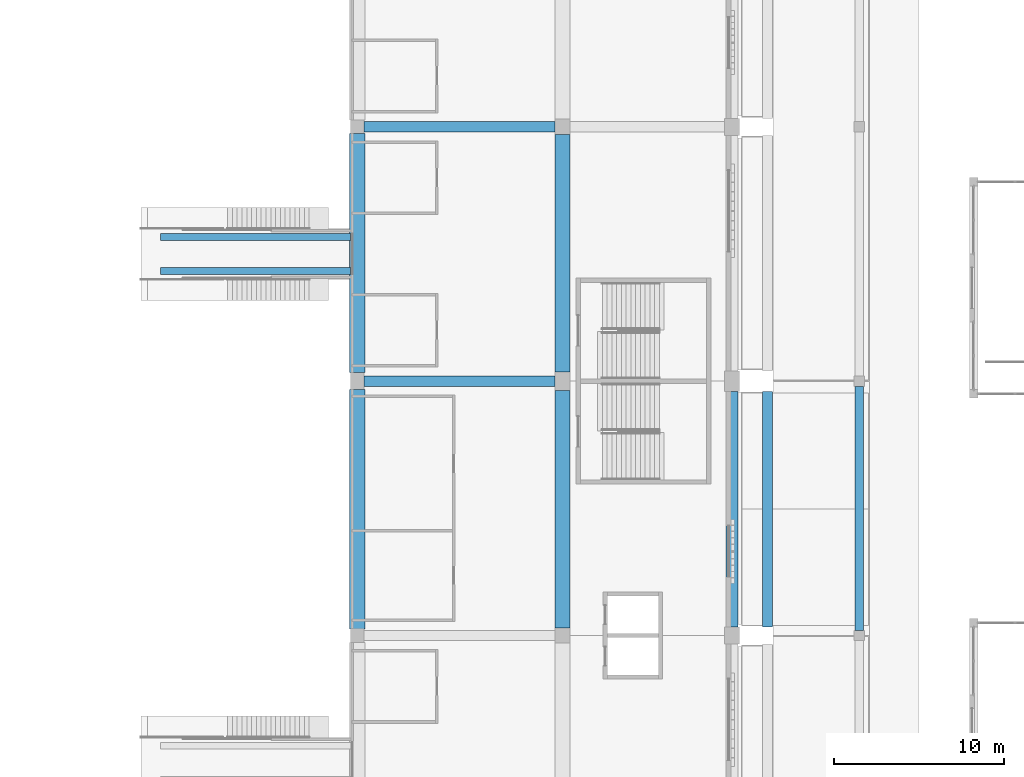
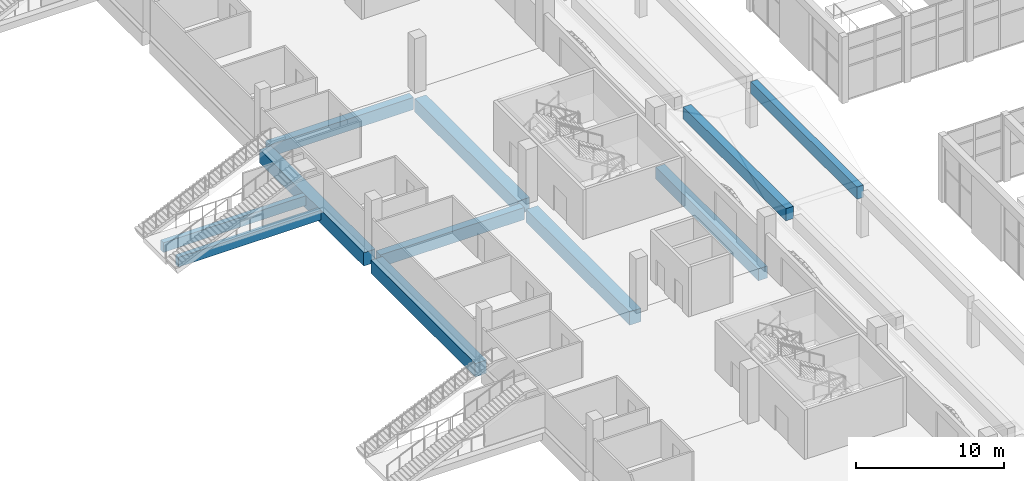
# One storey, part 7 of 175: 11 beams.
"""IFC4 building model written with IfcOpenShell, lengths in metres."""

from ifc_helpers import new_model, si_unit, direction, frame, origin, origin_2d, place, context, subcontext, project, spatial, rectangle, extrude, material, material_profile, profile_set, type_object, element, save


model = new_model("IFC4")

# Units and contexts
model_context = context("Model", 3, precision=1e-05, world=origin(), true_north=direction((0.0, 1.0)))
body_context = subcontext(model_context, "Body", "Model", "MODEL_VIEW")
ifc_project = project(units=[si_unit("LENGTHUNIT", "METRE"), si_unit("AREAUNIT", "SQUARE_METRE"), si_unit("VOLUMEUNIT", "CUBIC_METRE"), si_unit("PLANEANGLEUNIT", "RADIAN"), si_unit("MASSUNIT", "GRAM", prefix="KILO")], contexts=[model_context])

# Site, building, storey
site_placement = place(None, origin())
site = spatial("IfcSite", under=ifc_project, at=site_placement, CompositionType="ELEMENT")
building_placement = place(site_placement, origin())
building = spatial("IfcBuilding", under=site, at=building_placement, Name="Ogive Plaza Stadium", CompositionType="ELEMENT")
storey_placement = place(building_placement, origin())
storey = spatial("IfcBuildingStorey", under=building, at=storey_placement, Name="L00", CompositionType="ELEMENT", Elevation=0.0)

# Beams
ifc_material_1 = material(Name="Concrete C40/50", Category="concrete")
ifc_material_profile_1 = material_profile(ifc_material_1, rectangle(XDim=0.5, YDim=1.0, at=origin_2d()), Name="RC 500x1000")
ifc_profile_set_1 = profile_set([ifc_material_profile_1], Name="Concrete C40/50")
beam_type_1 = type_object("IfcBeamType", Name="Colonnade front beam RC 500x1000", PredefinedType="BEAM", material=ifc_profile_set_1)
beam_1_placement = place(storey_placement, frame((91.5, 7.199951171875, 3.300048828125), z_axis=(0.0, -1.0, 0.0), x_axis=(1.0, 0.0, 0.0)))
element("IfcBeam", 1, at=beam_1_placement, inside=storey, type_object=beam_type_1, Name="Colonnade front beam B04", PredefinedType="BEAM", context=body_context, shape_type="SweptSolid", body=[
    extrude(rectangle(XDim=0.5, YDim=1.0, at=origin_2d()), origin(), (0.0, 0.0, 1.0), 14.39990234375),
])
ifc_material_2 = material(Name="Concrete C40/50", Category="concrete")
ifc_material_profile_2 = material_profile(ifc_material_2, rectangle(XDim=0.60009765625, YDim=1.0, at=origin_2d()), Name="RC 600x1000")
ifc_profile_set_2 = profile_set([ifc_material_profile_2], Name="Concrete C40/50")
beam_type_2 = type_object("IfcBeamType", Name="Colonnade rear beam RC 600x1000", PredefinedType="BEAM", material=ifc_profile_set_2)
beam_2_placement = place(storey_placement, frame((86.10009765625, 6.89990234375, 3.300048828125), z_axis=(0.0, -1.0, 0.0), x_axis=(1.0, 0.0, 0.0)))
element("IfcBeam", 2, at=beam_2_placement, inside=storey, type_object=beam_type_2, Name="Colonnade rear beam B04", PredefinedType="BEAM", context=body_context, shape_type="SweptSolid", body=[
    extrude(rectangle(XDim=0.60009765625, YDim=1.0, at=origin_2d()), origin(), (0.0, 0.0, 1.0), 13.89990234375),
])
ifc_material_3 = material(Name="Concrete C40/50", Category="concrete")
ifc_material_profile_3 = material_profile(ifc_material_3, rectangle(XDim=0.60009765625, YDim=1.0, at=origin_2d()), Name="RC 600x1000")
ifc_profile_set_3 = profile_set([ifc_material_profile_3], Name="Concrete C40/50")
beam_type_3 = type_object("IfcBeamType", Name="RC radial beam 600x1000", PredefinedType="BEAM", material=ifc_profile_set_3)
for number, where, z_axis, x_axis, name in (
    (3, (62.300048828125, 22.5, -0.909912109375), (1.0, 0.0, 0.0), (0.0, 1.0, 0.0), "Radial beam L00 R03 F3F4"),
    (4, (62.300048828125, 7.5, -0.909912109375), (1.0, 0.0, 0.0), (0.0, 1.0, 0.0), "Radial beam L00 R04 F3F4"),
):
    element("IfcBeam", number, at=place(storey_placement, frame(where, z_axis=z_axis, x_axis=x_axis)), inside=storey, type_object=beam_type_3, Name=name, PredefinedType="BEAM", context=body_context, shape_type="SweptSolid", body=[
        extrude(rectangle(XDim=0.60009765625, YDim=1.0, at=origin_2d()), origin(), (0.0, 0.0, 1.0), 11.25),
    ])
ifc_material_4 = material(Name="Concrete C40/50", Category="concrete")
ifc_material_profile_4 = material_profile(ifc_material_4, rectangle(XDim=0.89990234375, YDim=1.10009765625, at=origin_2d()), Name="RC 900x1100")
ifc_profile_set_4 = profile_set([ifc_material_profile_4], Name="Concrete C40/50")
beam_type_4 = type_object("IfcBeamType", Name="RC ring beam 900x1100", PredefinedType="BEAM", material=ifc_profile_set_4)
beam_3_placement = place(storey_placement, frame((74.0, 22.050048828125, -0.9599609375), z_axis=(0.0, -1.0, 0.0), x_axis=(1.0, 0.0, 0.0)))
element("IfcBeam", 5, at=beam_3_placement, inside=storey, type_object=beam_type_4, Name="Ring beam F4 L00 B03", PredefinedType="BEAM", context=body_context, shape_type="SweptSolid", body=[
    extrude(rectangle(XDim=0.89990234375, YDim=1.10009765625, at=origin_2d()), origin(), (0.0, 0.0, 1.0), 14.0),
])
beam_4_placement = place(storey_placement, frame((61.89990234375, 22.10009765625, -0.9599609375), z_axis=(0.0, -1.0, 0.0), x_axis=(1.0, 0.0, 0.0)))
element("IfcBeam", 6, at=beam_4_placement, inside=storey, type_object=beam_type_4, Name="Ring beam F3 L00 B03", PredefinedType="BEAM", context=body_context, shape_type="SweptSolid", body=[
    extrude(rectangle(XDim=0.89990234375, YDim=1.10009765625, at=origin_2d()), origin(), (0.0, 0.0, 1.0), 14.10009765625),
])
beam_5_placement = place(storey_placement, frame((74.0, 6.949951171875, -0.9599609375), z_axis=(0.0, -1.0, 0.0), x_axis=(1.0, 0.0, 0.0)))
element("IfcBeam", 7, at=beam_5_placement, inside=storey, type_object=beam_type_4, Name="Ring beam F4 L00 B04", PredefinedType="BEAM", context=body_context, shape_type="SweptSolid", body=[
    extrude(rectangle(XDim=0.89990234375, YDim=1.10009765625, at=origin_2d()), origin(), (0.0, 0.0, 1.0), 14.0),
])
beam_6_placement = place(storey_placement, frame((61.89990234375, 7.0, -0.9599609375), z_axis=(0.0, -1.0, 0.0), x_axis=(1.0, 0.0, 0.0)))
element("IfcBeam", 8, at=beam_6_placement, inside=storey, type_object=beam_type_4, Name="Ring beam F3 L00 B04", PredefinedType="BEAM", context=body_context, shape_type="SweptSolid", body=[
    extrude(rectangle(XDim=0.89990234375, YDim=1.10009765625, at=origin_2d()), origin(), (0.0, 0.0, 1.0), 14.10009765625),
])
ifc_material_5 = material(Name="Concrete C40/50", Category="concrete")
ifc_material_profile_5 = material_profile(ifc_material_5, rectangle(XDim=0.699951171875, YDim=1.0, at=origin_2d()), Name="RC 700x1000")
ifc_profile_set_5 = profile_set([ifc_material_profile_5], Name="Concrete C40/50")
beam_type_5 = type_object("IfcBeamType", Name="RC spandrel beam 700x1000", PredefinedType="SPANDREL", material=ifc_profile_set_5)
beam_7_placement = place(storey_placement, frame((84.0, 6.89990234375, -0.909912109375), z_axis=(0.0, -1.0, 0.0), x_axis=(1.0, 0.0, 0.0)))
element("IfcBeam", 9, at=beam_7_placement, inside=storey, type_object=beam_type_5, Name="Ring beam F5 L00 B04", PredefinedType="SPANDREL", context=body_context, shape_type="SweptSolid", body=[
    extrude(rectangle(XDim=0.699951171875, YDim=1.0, at=origin_2d()), origin(), (0.0, 0.0, 1.0), 13.89990234375),
])
ifc_material_6 = material(Name="Concrete C40/50", Category="concrete")
ifc_material_profile_6 = material_profile(ifc_material_6, rectangle(XDim=0.39990234375, YDim=0.800048828125, at=origin_2d()), Name="RC 400x800")
ifc_profile_set_6 = profile_set([ifc_material_profile_6], Name="Concrete C40/50")
beam_type_6 = type_object("IfcBeamType", Name="RC tongue beam 400x800", PredefinedType="BEAM", material=ifc_profile_set_6)
for number, where, z_axis, x_axis, name in (
    (10, (50.300048828125, 14.0, -0.81005859375), (1.0, 0.0, 0.0), (0.0, 1.0, 0.0), "Vomitory beam B03 1"),
    (11, (50.300048828125, 16.0, -0.81005859375), (1.0, 0.0, 0.0), (0.0, 1.0, 0.0), "Vomitory beam B03 2"),
):
    element("IfcBeam", number, at=place(storey_placement, frame(where, z_axis=z_axis, x_axis=x_axis)), inside=storey, type_object=beam_type_6, Name=name, PredefinedType="BEAM", context=body_context, shape_type="SweptSolid", body=[
        extrude(rectangle(XDim=0.39990234375, YDim=0.800048828125, at=origin_2d()), origin(), (0.0, 0.0, 1.0), 11.199951171875),
    ])

save(model, "model.ifc")
